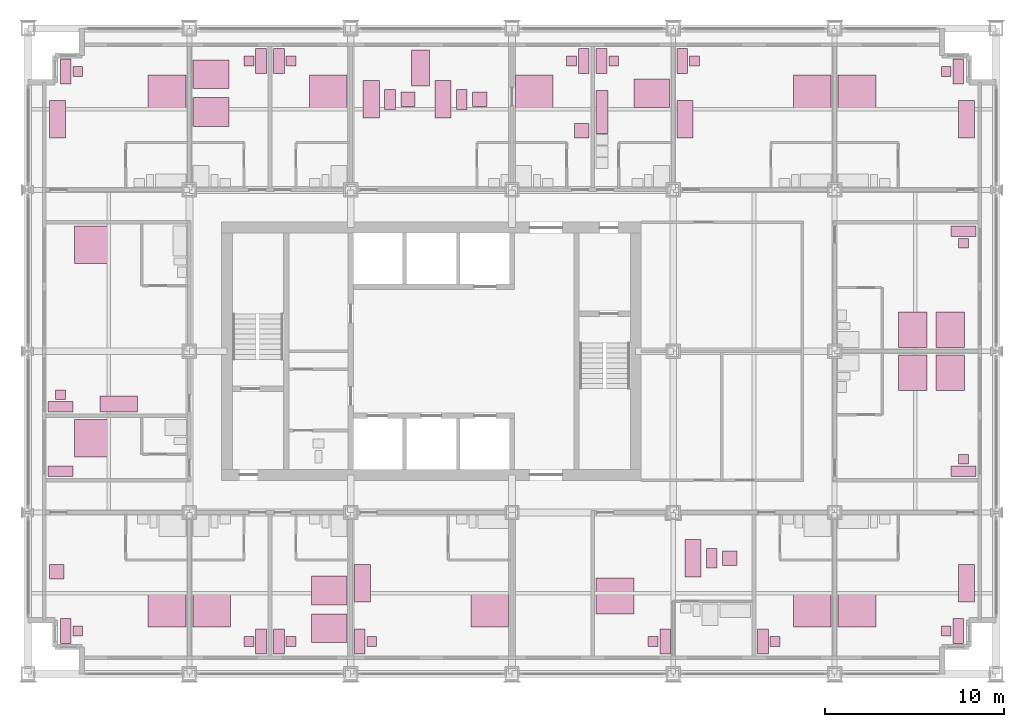
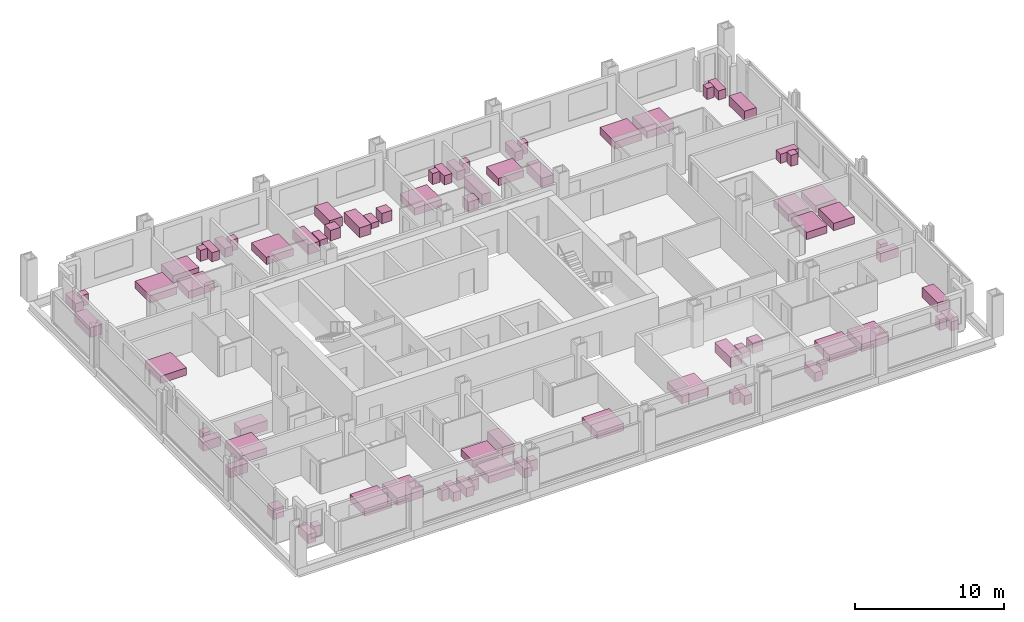
# One storey, part 18 of 18: 76 furniture elements.
"""IFC4 building model written with IfcOpenShell, lengths in metres."""

from ifc_helpers import new_model, si_unit, direction, frame, origin, origin_2d, place, context, subcontext, project, spatial, rectangle, extrude, element, save


model = new_model("IFC4")

# Units and contexts
model_context = context("Model", 3, precision=1e-05, world=origin(), true_north=direction((0.0, 1.0)))
body_context = subcontext(model_context, "Body", "Model", "MODEL_VIEW")
ifc_project = project(units=[si_unit("LENGTHUNIT", "METRE"), si_unit("AREAUNIT", "SQUARE_METRE"), si_unit("VOLUMEUNIT", "CUBIC_METRE"), si_unit("PLANEANGLEUNIT", "RADIAN"), si_unit("MASSUNIT", "GRAM", prefix="KILO")], contexts=[model_context])

# Site, building, storey
site_placement = place(None, origin())
site = spatial("IfcSite", under=ifc_project, at=site_placement, CompositionType="ELEMENT")
building_placement = place(site_placement, origin())
building = spatial("IfcBuilding", under=site, at=building_placement, Name="Loomwork Tower", CompositionType="ELEMENT")
storey_placement = place(building_placement, frame((0.0, 0.0, 38.199951171875)))
storey = spatial("IfcBuildingStorey", under=building, at=storey_placement, Name="L08", CompositionType="ELEMENT", Elevation=38.199951171875)

# Furniture
furniture_1_placement = place(storey_placement, frame((7.75, 3.60009765625, 0.0), z_axis=(0.0, 0.0, 1.0), x_axis=(1.0, 0.0, 0.0)))
element("IfcFurniture", 1, at=furniture_1_placement, inside=storey, Name="King bed L08", PredefinedType="BED", context=body_context, shape_type="SweptSolid", body=[
    extrude(rectangle(XDim=2.10009765625, YDim=2.0, at=origin_2d()), origin(), (0.0, 0.0, 1.0), 0.60009765625),
])
furniture_2_placement = place(storey_placement, frame((2.10009765625, 2.39990234375, 0.0), z_axis=(0.0, 0.0, 1.0), x_axis=(1.0, 0.0, 0.0)))
element("IfcFurniture", 2, at=furniture_2_placement, inside=storey, Name="Writing desk L08", PredefinedType="DESK", context=body_context, shape_type="SweptSolid", body=[
    extrude(rectangle(XDim=0.60009765625, YDim=1.39990234375, at=origin_2d()), origin(), (0.0, 0.0, 1.0), 0.75),
])
furniture_3_placement = place(storey_placement, frame((2.77490234375, 2.39990234375, 0.0), z_axis=(0.0, 0.0, 1.0), x_axis=(1.0, 0.0, 0.0)))
element("IfcFurniture", 3, at=furniture_3_placement, inside=storey, Name="Desk chair L08", PredefinedType="CHAIR", context=body_context, shape_type="SweptSolid", body=[
    extrude(rectangle(XDim=0.550048828125, YDim=0.550048828125, at=origin_2d()), origin(), (0.0, 0.0, 1.0), 0.89990234375),
])
furniture_4_placement = place(storey_placement, frame((1.60009765625, 5.699951171875, 0.0), z_axis=(0.0, 0.0, 1.0), x_axis=(1.0, 0.0, 0.0)))
element("IfcFurniture", 4, at=furniture_4_placement, inside=storey, Name="Lounge armchair L08", PredefinedType="CHAIR", context=body_context, shape_type="SweptSolid", body=[
    extrude(rectangle(XDim=0.800048828125, YDim=0.800048828125, at=origin_2d()), origin(), (0.0, 0.0, 1.0), 0.85009765625),
])
furniture_5_placement = place(storey_placement, frame((10.25, 3.60009765625, 0.0), z_axis=(0.0, 0.0, 1.0), x_axis=(1.0, 0.0, 0.0)))
element("IfcFurniture", 5, at=furniture_5_placement, inside=storey, Name="King bed L08", PredefinedType="BED", context=body_context, shape_type="SweptSolid", body=[
    extrude(rectangle(XDim=2.10009765625, YDim=2.0, at=origin_2d()), origin(), (0.0, 0.0, 1.0), 0.60009765625),
])
furniture_6_placement = place(storey_placement, frame((13.0, 1.800048828125, 0.0), z_axis=(0.0, 0.0, 1.0), x_axis=(1.0, 0.0, 0.0)))
element("IfcFurniture", 6, at=furniture_6_placement, inside=storey, Name="Writing desk L08", PredefinedType="DESK", context=body_context, shape_type="SweptSolid", body=[
    extrude(rectangle(XDim=0.60009765625, YDim=1.39990234375, at=origin_2d()), origin(), (0.0, 0.0, 1.0), 0.75),
])
furniture_7_placement = place(storey_placement, frame((12.324951171875, 1.800048828125, 0.0), z_axis=(0.0, 0.0, 1.0), x_axis=(1.0, 0.0, 0.0)))
element("IfcFurniture", 7, at=furniture_7_placement, inside=storey, Name="Desk chair L08", PredefinedType="CHAIR", context=body_context, shape_type="SweptSolid", body=[
    extrude(rectangle(XDim=0.550048828125, YDim=0.550048828125, at=origin_2d()), origin(), (0.0, 0.0, 1.0), 0.89990234375),
])
for number, where, z_axis, x_axis, name in (
    (8, (16.800048828125, 4.64990234375, 0.0), (0.0, 0.0, 1.0), (1.0, 0.0, 0.0), "Queen bed L08"),
    (9, (16.800048828125, 2.550048828125, 0.0), (0.0, 0.0, 1.0), (1.0, 0.0, 0.0), "Queen bed L08"),
):
    element("IfcFurniture", number, at=place(storey_placement, frame(where, z_axis=z_axis, x_axis=x_axis)), inside=storey, Name=name, PredefinedType="BED", context=body_context, shape_type="SweptSolid", body=[
        extrude(rectangle(XDim=2.0, YDim=1.60009765625, at=origin_2d()), origin(), (0.0, 0.0, 1.0), 0.60009765625),
    ])
furniture_8_placement = place(storey_placement, frame((14.0, 1.800048828125, 0.0), z_axis=(0.0, 0.0, 1.0), x_axis=(1.0, 0.0, 0.0)))
element("IfcFurniture", 10, at=furniture_8_placement, inside=storey, Name="Writing desk L08", PredefinedType="DESK", context=body_context, shape_type="SweptSolid", body=[
    extrude(rectangle(XDim=0.60009765625, YDim=1.39990234375, at=origin_2d()), origin(), (0.0, 0.0, 1.0), 0.75),
])
furniture_9_placement = place(storey_placement, frame((14.675048828125, 1.800048828125, 0.0), z_axis=(0.0, 0.0, 1.0), x_axis=(1.0, 0.0, 0.0)))
element("IfcFurniture", 11, at=furniture_9_placement, inside=storey, Name="Desk chair L08", PredefinedType="CHAIR", context=body_context, shape_type="SweptSolid", body=[
    extrude(rectangle(XDim=0.550048828125, YDim=0.550048828125, at=origin_2d()), origin(), (0.0, 0.0, 1.0), 0.89990234375),
])
furniture_10_placement = place(storey_placement, frame((25.75, 3.60009765625, 0.0), z_axis=(0.0, 0.0, 1.0), x_axis=(1.0, 0.0, 0.0)))
element("IfcFurniture", 12, at=furniture_10_placement, inside=storey, Name="King bed L08", PredefinedType="BED", context=body_context, shape_type="SweptSolid", body=[
    extrude(rectangle(XDim=2.10009765625, YDim=2.0, at=origin_2d()), origin(), (0.0, 0.0, 1.0), 0.60009765625),
])
furniture_11_placement = place(storey_placement, frame((18.5, 1.800048828125, 0.0), z_axis=(0.0, 0.0, 1.0), x_axis=(1.0, 0.0, 0.0)))
element("IfcFurniture", 13, at=furniture_11_placement, inside=storey, Name="Writing desk L08", PredefinedType="DESK", context=body_context, shape_type="SweptSolid", body=[
    extrude(rectangle(XDim=0.60009765625, YDim=1.39990234375, at=origin_2d()), origin(), (0.0, 0.0, 1.0), 0.75),
])
furniture_12_placement = place(storey_placement, frame((19.175048828125, 1.800048828125, 0.0), z_axis=(0.0, 0.0, 1.0), x_axis=(1.0, 0.0, 0.0)))
element("IfcFurniture", 14, at=furniture_12_placement, inside=storey, Name="Desk chair L08", PredefinedType="CHAIR", context=body_context, shape_type="SweptSolid", body=[
    extrude(rectangle(XDim=0.550048828125, YDim=0.550048828125, at=origin_2d()), origin(), (0.0, 0.0, 1.0), 0.89990234375),
])
furniture_13_placement = place(storey_placement, frame((18.64990234375, 5.050048828125, 0.0), z_axis=(0.0, 0.0, 1.0), x_axis=(1.0, 0.0, 0.0)))
element("IfcFurniture", 15, at=furniture_13_placement, inside=storey, Name="Sofa L08", PredefinedType="SOFA", context=body_context, shape_type="SweptSolid", body=[
    extrude(rectangle(XDim=0.89990234375, YDim=2.10009765625, at=origin_2d()), origin(), (0.0, 0.0, 1.0), 0.800048828125),
])
furniture_14_placement = place(storey_placement, frame((32.75, 4.35009765625, 0.0), z_axis=(0.0, 0.0, 1.0), x_axis=(1.0, 0.0, 0.0)))
element("IfcFurniture", 16, at=furniture_14_placement, inside=storey, Name="King bed L08", PredefinedType="BED", context=body_context, shape_type="SweptSolid", body=[
    extrude(rectangle(XDim=2.10009765625, YDim=2.0, at=origin_2d()), origin(), (0.0, 0.0, 1.0), 0.60009765625),
])
furniture_15_placement = place(storey_placement, frame((35.550048828125, 1.800048828125, 0.0), z_axis=(0.0, 0.0, 1.0), x_axis=(1.0, 0.0, 0.0)))
element("IfcFurniture", 17, at=furniture_15_placement, inside=storey, Name="Writing desk L08", PredefinedType="DESK", context=body_context, shape_type="SweptSolid", body=[
    extrude(rectangle(XDim=0.60009765625, YDim=1.39990234375, at=origin_2d()), origin(), (0.0, 0.0, 1.0), 0.75),
])
furniture_16_placement = place(storey_placement, frame((34.875, 1.800048828125, 0.0), z_axis=(0.0, 0.0, 1.0), x_axis=(1.0, 0.0, 0.0)))
element("IfcFurniture", 18, at=furniture_16_placement, inside=storey, Name="Desk chair L08", PredefinedType="CHAIR", context=body_context, shape_type="SweptSolid", body=[
    extrude(rectangle(XDim=0.550048828125, YDim=0.550048828125, at=origin_2d()), origin(), (0.0, 0.0, 1.0), 0.89990234375),
])
furniture_17_placement = place(storey_placement, frame((37.10009765625, 6.449951171875, 0.0), z_axis=(0.0, 0.0, 1.0), x_axis=(1.0, 0.0, 0.0)))
element("IfcFurniture", 19, at=furniture_17_placement, inside=storey, Name="Sofa L08", PredefinedType="SOFA", context=body_context, shape_type="SweptSolid", body=[
    extrude(rectangle(XDim=0.89990234375, YDim=2.10009765625, at=origin_2d()), origin(), (0.0, 0.0, 1.0), 0.800048828125),
])
furniture_18_placement = place(storey_placement, frame((38.14990234375, 6.449951171875, 0.0), z_axis=(0.0, 0.0, 1.0), x_axis=(1.0, 0.0, 0.0)))
element("IfcFurniture", 20, at=furniture_18_placement, inside=storey, Name="Coffee table L08", PredefinedType="TABLE", context=body_context, shape_type="SweptSolid", body=[
    extrude(rectangle(XDim=0.60009765625, YDim=1.10009765625, at=origin_2d()), origin(), (0.0, 0.0, 1.0), 0.449951171875),
])
furniture_19_placement = place(storey_placement, frame((39.14990234375, 6.449951171875, 0.0), z_axis=(0.0, 0.0, 1.0), x_axis=(1.0, 0.0, 0.0)))
element("IfcFurniture", 21, at=furniture_19_placement, inside=storey, Name="Lounge armchair L08", PredefinedType="CHAIR", context=body_context, shape_type="SweptSolid", body=[
    extrude(rectangle(XDim=0.800048828125, YDim=0.800048828125, at=origin_2d()), origin(), (0.0, 0.0, 1.0), 0.85009765625),
])
furniture_20_placement = place(storey_placement, frame((43.75, 3.60009765625, 0.0), z_axis=(0.0, 0.0, 1.0), x_axis=(1.0, 0.0, 0.0)))
element("IfcFurniture", 22, at=furniture_20_placement, inside=storey, Name="King bed L08", PredefinedType="BED", context=body_context, shape_type="SweptSolid", body=[
    extrude(rectangle(XDim=2.10009765625, YDim=2.0, at=origin_2d()), origin(), (0.0, 0.0, 1.0), 0.60009765625),
])
furniture_21_placement = place(storey_placement, frame((41.0, 1.800048828125, 0.0), z_axis=(0.0, 0.0, 1.0), x_axis=(1.0, 0.0, 0.0)))
element("IfcFurniture", 23, at=furniture_21_placement, inside=storey, Name="Writing desk L08", PredefinedType="DESK", context=body_context, shape_type="SweptSolid", body=[
    extrude(rectangle(XDim=0.60009765625, YDim=1.39990234375, at=origin_2d()), origin(), (0.0, 0.0, 1.0), 0.75),
])
furniture_22_placement = place(storey_placement, frame((41.675048828125, 1.800048828125, 0.0), z_axis=(0.0, 0.0, 1.0), x_axis=(1.0, 0.0, 0.0)))
element("IfcFurniture", 24, at=furniture_22_placement, inside=storey, Name="Desk chair L08", PredefinedType="CHAIR", context=body_context, shape_type="SweptSolid", body=[
    extrude(rectangle(XDim=0.550048828125, YDim=0.550048828125, at=origin_2d()), origin(), (0.0, 0.0, 1.0), 0.89990234375),
])
furniture_23_placement = place(storey_placement, frame((46.25, 3.60009765625, 0.0), z_axis=(0.0, 0.0, 1.0), x_axis=(1.0, 0.0, 0.0)))
element("IfcFurniture", 25, at=furniture_23_placement, inside=storey, Name="King bed L08", PredefinedType="BED", context=body_context, shape_type="SweptSolid", body=[
    extrude(rectangle(XDim=2.10009765625, YDim=2.0, at=origin_2d()), origin(), (0.0, 0.0, 1.0), 0.60009765625),
])
furniture_24_placement = place(storey_placement, frame((51.89990234375, 2.39990234375, 0.0), z_axis=(0.0, 0.0, 1.0), x_axis=(1.0, 0.0, 0.0)))
element("IfcFurniture", 26, at=furniture_24_placement, inside=storey, Name="Writing desk L08", PredefinedType="DESK", context=body_context, shape_type="SweptSolid", body=[
    extrude(rectangle(XDim=0.60009765625, YDim=1.39990234375, at=origin_2d()), origin(), (0.0, 0.0, 1.0), 0.75),
])
furniture_25_placement = place(storey_placement, frame((51.22509765625, 2.39990234375, 0.0), z_axis=(0.0, 0.0, 1.0), x_axis=(1.0, 0.0, 0.0)))
element("IfcFurniture", 27, at=furniture_25_placement, inside=storey, Name="Desk chair L08", PredefinedType="CHAIR", context=body_context, shape_type="SweptSolid", body=[
    extrude(rectangle(XDim=0.550048828125, YDim=0.550048828125, at=origin_2d()), origin(), (0.0, 0.0, 1.0), 0.89990234375),
])
furniture_26_placement = place(storey_placement, frame((52.35009765625, 5.050048828125, 0.0), z_axis=(0.0, 0.0, 1.0), x_axis=(1.0, 0.0, 0.0)))
element("IfcFurniture", 28, at=furniture_26_placement, inside=storey, Name="Sofa L08", PredefinedType="SOFA", context=body_context, shape_type="SweptSolid", body=[
    extrude(rectangle(XDim=0.89990234375, YDim=2.10009765625, at=origin_2d()), origin(), (0.0, 0.0, 1.0), 0.800048828125),
])
furniture_27_placement = place(storey_placement, frame((7.75, 32.39990234375, 0.0), z_axis=(0.0, 0.0, 1.0), x_axis=(1.0, 0.0, 0.0)))
element("IfcFurniture", 29, at=furniture_27_placement, inside=storey, Name="King bed L08", PredefinedType="BED", context=body_context, shape_type="SweptSolid", body=[
    extrude(rectangle(XDim=2.10009765625, YDim=2.0, at=origin_2d()), origin(), (0.0, 0.0, 1.0), 0.60009765625),
])
furniture_28_placement = place(storey_placement, frame((2.10009765625, 33.60009765625, 0.0), z_axis=(0.0, 0.0, 1.0), x_axis=(1.0, 0.0, 0.0)))
element("IfcFurniture", 30, at=furniture_28_placement, inside=storey, Name="Writing desk L08", PredefinedType="DESK", context=body_context, shape_type="SweptSolid", body=[
    extrude(rectangle(XDim=0.60009765625, YDim=1.39990234375, at=origin_2d()), origin(), (0.0, 0.0, 1.0), 0.75),
])
furniture_29_placement = place(storey_placement, frame((2.77490234375, 33.60009765625, 0.0), z_axis=(0.0, 0.0, 1.0), x_axis=(1.0, 0.0, 0.0)))
element("IfcFurniture", 31, at=furniture_29_placement, inside=storey, Name="Desk chair L08", PredefinedType="CHAIR", context=body_context, shape_type="SweptSolid", body=[
    extrude(rectangle(XDim=0.550048828125, YDim=0.550048828125, at=origin_2d()), origin(), (0.0, 0.0, 1.0), 0.89990234375),
])
furniture_30_placement = place(storey_placement, frame((1.64990234375, 30.949951171875, 0.0), z_axis=(0.0, 0.0, 1.0), x_axis=(1.0, 0.0, 0.0)))
element("IfcFurniture", 32, at=furniture_30_placement, inside=storey, Name="Sofa L08", PredefinedType="SOFA", context=body_context, shape_type="SweptSolid", body=[
    extrude(rectangle(XDim=0.89990234375, YDim=2.10009765625, at=origin_2d()), origin(), (0.0, 0.0, 1.0), 0.800048828125),
])
for number, where, z_axis, x_axis, name in (
    (33, (10.199951171875, 31.35009765625, 0.0), (0.0, 0.0, 1.0), (1.0, 0.0, 0.0), "Queen bed L08"),
    (34, (10.199951171875, 33.449951171875, 0.0), (0.0, 0.0, 1.0), (1.0, 0.0, 0.0), "Queen bed L08"),
):
    element("IfcFurniture", number, at=place(storey_placement, frame(where, z_axis=z_axis, x_axis=x_axis)), inside=storey, Name=name, PredefinedType="BED", context=body_context, shape_type="SweptSolid", body=[
        extrude(rectangle(XDim=2.0, YDim=1.60009765625, at=origin_2d()), origin(), (0.0, 0.0, 1.0), 0.60009765625),
    ])
furniture_31_placement = place(storey_placement, frame((13.0, 34.199951171875, 0.0), z_axis=(0.0, 0.0, 1.0), x_axis=(1.0, 0.0, 0.0)))
element("IfcFurniture", 35, at=furniture_31_placement, inside=storey, Name="Writing desk L08", PredefinedType="DESK", context=body_context, shape_type="SweptSolid", body=[
    extrude(rectangle(XDim=0.60009765625, YDim=1.39990234375, at=origin_2d()), origin(), (0.0, 0.0, 1.0), 0.75),
])
furniture_32_placement = place(storey_placement, frame((12.324951171875, 34.199951171875, 0.0), z_axis=(0.0, 0.0, 1.0), x_axis=(1.0, 0.0, 0.0)))
element("IfcFurniture", 36, at=furniture_32_placement, inside=storey, Name="Desk chair L08", PredefinedType="CHAIR", context=body_context, shape_type="SweptSolid", body=[
    extrude(rectangle(XDim=0.550048828125, YDim=0.550048828125, at=origin_2d()), origin(), (0.0, 0.0, 1.0), 0.89990234375),
])
furniture_33_placement = place(storey_placement, frame((16.75, 32.39990234375, 0.0), z_axis=(0.0, 0.0, 1.0), x_axis=(1.0, 0.0, 0.0)))
element("IfcFurniture", 37, at=furniture_33_placement, inside=storey, Name="King bed L08", PredefinedType="BED", context=body_context, shape_type="SweptSolid", body=[
    extrude(rectangle(XDim=2.10009765625, YDim=2.0, at=origin_2d()), origin(), (0.0, 0.0, 1.0), 0.60009765625),
])
furniture_34_placement = place(storey_placement, frame((14.0, 34.199951171875, 0.0), z_axis=(0.0, 0.0, 1.0), x_axis=(1.0, 0.0, 0.0)))
element("IfcFurniture", 38, at=furniture_34_placement, inside=storey, Name="Writing desk L08", PredefinedType="DESK", context=body_context, shape_type="SweptSolid", body=[
    extrude(rectangle(XDim=0.60009765625, YDim=1.39990234375, at=origin_2d()), origin(), (0.0, 0.0, 1.0), 0.75),
])
furniture_35_placement = place(storey_placement, frame((14.675048828125, 34.199951171875, 0.0), z_axis=(0.0, 0.0, 1.0), x_axis=(1.0, 0.0, 0.0)))
element("IfcFurniture", 39, at=furniture_35_placement, inside=storey, Name="Desk chair L08", PredefinedType="CHAIR", context=body_context, shape_type="SweptSolid", body=[
    extrude(rectangle(XDim=0.550048828125, YDim=0.550048828125, at=origin_2d()), origin(), (0.0, 0.0, 1.0), 0.89990234375),
])
furniture_36_placement = place(storey_placement, frame((19.14990234375, 32.050048828125, 0.0), z_axis=(0.0, 0.0, 1.0), x_axis=(1.0, 0.0, 0.0)))
element("IfcFurniture", 40, at=furniture_36_placement, inside=storey, Name="Sofa L08", PredefinedType="SOFA", context=body_context, shape_type="SweptSolid", body=[
    extrude(rectangle(XDim=0.89990234375, YDim=2.10009765625, at=origin_2d()), origin(), (0.0, 0.0, 1.0), 0.800048828125),
])
furniture_37_placement = place(storey_placement, frame((20.199951171875, 32.050048828125, 0.0), z_axis=(0.0, 0.0, 1.0), x_axis=(1.0, 0.0, 0.0)))
element("IfcFurniture", 41, at=furniture_37_placement, inside=storey, Name="Coffee table L08", PredefinedType="TABLE", context=body_context, shape_type="SweptSolid", body=[
    extrude(rectangle(XDim=0.60009765625, YDim=1.10009765625, at=origin_2d()), origin(), (0.0, 0.0, 1.0), 0.449951171875),
])
furniture_38_placement = place(storey_placement, frame((21.199951171875, 32.050048828125, 0.0), z_axis=(0.0, 0.0, 1.0), x_axis=(1.0, 0.0, 0.0)))
element("IfcFurniture", 42, at=furniture_38_placement, inside=storey, Name="Lounge armchair L08", PredefinedType="CHAIR", context=body_context, shape_type="SweptSolid", body=[
    extrude(rectangle(XDim=0.800048828125, YDim=0.800048828125, at=origin_2d()), origin(), (0.0, 0.0, 1.0), 0.85009765625),
])
furniture_39_placement = place(storey_placement, frame((23.14990234375, 32.050048828125, 0.0), z_axis=(0.0, 0.0, 1.0), x_axis=(1.0, 0.0, 0.0)))
element("IfcFurniture", 43, at=furniture_39_placement, inside=storey, Name="Sofa L08", PredefinedType="SOFA", context=body_context, shape_type="SweptSolid", body=[
    extrude(rectangle(XDim=0.89990234375, YDim=2.10009765625, at=origin_2d()), origin(), (0.0, 0.0, 1.0), 0.800048828125),
])
furniture_40_placement = place(storey_placement, frame((24.199951171875, 32.050048828125, 0.0), z_axis=(0.0, 0.0, 1.0), x_axis=(1.0, 0.0, 0.0)))
element("IfcFurniture", 44, at=furniture_40_placement, inside=storey, Name="Coffee table L08", PredefinedType="TABLE", context=body_context, shape_type="SweptSolid", body=[
    extrude(rectangle(XDim=0.60009765625, YDim=1.10009765625, at=origin_2d()), origin(), (0.0, 0.0, 1.0), 0.449951171875),
])
furniture_41_placement = place(storey_placement, frame((25.199951171875, 32.050048828125, 0.0), z_axis=(0.0, 0.0, 1.0), x_axis=(1.0, 0.0, 0.0)))
element("IfcFurniture", 45, at=furniture_41_placement, inside=storey, Name="Lounge armchair L08", PredefinedType="CHAIR", context=body_context, shape_type="SweptSolid", body=[
    extrude(rectangle(XDim=0.800048828125, YDim=0.800048828125, at=origin_2d()), origin(), (0.0, 0.0, 1.0), 0.85009765625),
])
furniture_42_placement = place(storey_placement, frame((21.89990234375, 33.800048828125, 0.0), z_axis=(0.0, 0.0, 1.0), x_axis=(1.0, 0.0, 0.0)))
element("IfcFurniture", 46, at=furniture_42_placement, inside=storey, Name="Dining table L08", PredefinedType="TABLE", context=body_context, shape_type="SweptSolid", body=[
    extrude(rectangle(XDim=1.0, YDim=2.0, at=origin_2d()), origin(), (0.0, 0.0, 1.0), 0.75),
])
furniture_43_placement = place(storey_placement, frame((28.25, 32.39990234375, 0.0), z_axis=(0.0, 0.0, 1.0), x_axis=(1.0, 0.0, 0.0)))
element("IfcFurniture", 47, at=furniture_43_placement, inside=storey, Name="King bed L08", PredefinedType="BED", context=body_context, shape_type="SweptSolid", body=[
    extrude(rectangle(XDim=2.10009765625, YDim=2.0, at=origin_2d()), origin(), (0.0, 0.0, 1.0), 0.60009765625),
])
furniture_44_placement = place(storey_placement, frame((31.0, 34.199951171875, 0.0), z_axis=(0.0, 0.0, 1.0), x_axis=(1.0, 0.0, 0.0)))
element("IfcFurniture", 48, at=furniture_44_placement, inside=storey, Name="Writing desk L08", PredefinedType="DESK", context=body_context, shape_type="SweptSolid", body=[
    extrude(rectangle(XDim=0.60009765625, YDim=1.39990234375, at=origin_2d()), origin(), (0.0, 0.0, 1.0), 0.75),
])
furniture_45_placement = place(storey_placement, frame((30.324951171875, 34.199951171875, 0.0), z_axis=(0.0, 0.0, 1.0), x_axis=(1.0, 0.0, 0.0)))
element("IfcFurniture", 49, at=furniture_45_placement, inside=storey, Name="Desk chair L08", PredefinedType="CHAIR", context=body_context, shape_type="SweptSolid", body=[
    extrude(rectangle(XDim=0.550048828125, YDim=0.550048828125, at=origin_2d()), origin(), (0.0, 0.0, 1.0), 0.89990234375),
])
furniture_46_placement = place(storey_placement, frame((30.89990234375, 30.300048828125, 0.0), z_axis=(0.0, 0.0, 1.0), x_axis=(1.0, 0.0, 0.0)))
element("IfcFurniture", 50, at=furniture_46_placement, inside=storey, Name="Lounge armchair L08", PredefinedType="CHAIR", context=body_context, shape_type="SweptSolid", body=[
    extrude(rectangle(XDim=0.800048828125, YDim=0.800048828125, at=origin_2d()), origin(), (0.0, 0.0, 1.0), 0.85009765625),
])
furniture_47_placement = place(storey_placement, frame((34.800048828125, 32.39990234375, 0.0), z_axis=(0.0, 0.0, 1.0), x_axis=(1.0, 0.0, 0.0)))
element("IfcFurniture", 51, at=furniture_47_placement, inside=storey, Name="Queen bed L08", PredefinedType="BED", context=body_context, shape_type="SweptSolid", body=[
    extrude(rectangle(XDim=2.0, YDim=1.60009765625, at=origin_2d()), origin(), (0.0, 0.0, 1.0), 0.60009765625),
])
furniture_48_placement = place(storey_placement, frame((32.0, 34.199951171875, 0.0), z_axis=(0.0, 0.0, 1.0), x_axis=(1.0, 0.0, 0.0)))
element("IfcFurniture", 52, at=furniture_48_placement, inside=storey, Name="Writing desk L08", PredefinedType="DESK", context=body_context, shape_type="SweptSolid", body=[
    extrude(rectangle(XDim=0.60009765625, YDim=1.39990234375, at=origin_2d()), origin(), (0.0, 0.0, 1.0), 0.75),
])
furniture_49_placement = place(storey_placement, frame((32.675048828125, 34.199951171875, 0.0), z_axis=(0.0, 0.0, 1.0), x_axis=(1.0, 0.0, 0.0)))
element("IfcFurniture", 53, at=furniture_49_placement, inside=storey, Name="Desk chair L08", PredefinedType="CHAIR", context=body_context, shape_type="SweptSolid", body=[
    extrude(rectangle(XDim=0.550048828125, YDim=0.550048828125, at=origin_2d()), origin(), (0.0, 0.0, 1.0), 0.89990234375),
])
furniture_50_placement = place(storey_placement, frame((32.02490234375, 31.35009765625, 0.0), z_axis=(0.0, 0.0, 1.0), x_axis=(1.0, 0.0, 0.0)))
element("IfcFurniture", 54, at=furniture_50_placement, inside=storey, Name="Kitchenette counter L08", ObjectType="KITCHENETTE", PredefinedType="USERDEFINED", context=body_context, shape_type="SweptSolid", body=[
    extrude(rectangle(XDim=0.64990234375, YDim=2.39990234375, at=origin_2d()), origin(), (0.0, 0.0, 1.0), 0.89990234375),
])
furniture_51_placement = place(storey_placement, frame((43.75, 32.39990234375, 0.0), z_axis=(0.0, 0.0, 1.0), x_axis=(1.0, 0.0, 0.0)))
element("IfcFurniture", 55, at=furniture_51_placement, inside=storey, Name="King bed L08", PredefinedType="BED", context=body_context, shape_type="SweptSolid", body=[
    extrude(rectangle(XDim=2.10009765625, YDim=2.0, at=origin_2d()), origin(), (0.0, 0.0, 1.0), 0.60009765625),
])
furniture_52_placement = place(storey_placement, frame((36.5, 34.199951171875, 0.0), z_axis=(0.0, 0.0, 1.0), x_axis=(1.0, 0.0, 0.0)))
element("IfcFurniture", 56, at=furniture_52_placement, inside=storey, Name="Writing desk L08", PredefinedType="DESK", context=body_context, shape_type="SweptSolid", body=[
    extrude(rectangle(XDim=0.60009765625, YDim=1.39990234375, at=origin_2d()), origin(), (0.0, 0.0, 1.0), 0.75),
])
furniture_53_placement = place(storey_placement, frame((37.175048828125, 34.199951171875, 0.0), z_axis=(0.0, 0.0, 1.0), x_axis=(1.0, 0.0, 0.0)))
element("IfcFurniture", 57, at=furniture_53_placement, inside=storey, Name="Desk chair L08", PredefinedType="CHAIR", context=body_context, shape_type="SweptSolid", body=[
    extrude(rectangle(XDim=0.550048828125, YDim=0.550048828125, at=origin_2d()), origin(), (0.0, 0.0, 1.0), 0.89990234375),
])
furniture_54_placement = place(storey_placement, frame((36.64990234375, 30.949951171875, 0.0), z_axis=(0.0, 0.0, 1.0), x_axis=(1.0, 0.0, 0.0)))
element("IfcFurniture", 58, at=furniture_54_placement, inside=storey, Name="Sofa L08", PredefinedType="SOFA", context=body_context, shape_type="SweptSolid", body=[
    extrude(rectangle(XDim=0.89990234375, YDim=2.10009765625, at=origin_2d()), origin(), (0.0, 0.0, 1.0), 0.800048828125),
])
furniture_55_placement = place(storey_placement, frame((46.25, 32.39990234375, 0.0), z_axis=(0.0, 0.0, 1.0), x_axis=(1.0, 0.0, 0.0)))
element("IfcFurniture", 59, at=furniture_55_placement, inside=storey, Name="King bed L08", PredefinedType="BED", context=body_context, shape_type="SweptSolid", body=[
    extrude(rectangle(XDim=2.10009765625, YDim=2.0, at=origin_2d()), origin(), (0.0, 0.0, 1.0), 0.60009765625),
])
furniture_56_placement = place(storey_placement, frame((51.89990234375, 33.60009765625, 0.0), z_axis=(0.0, 0.0, 1.0), x_axis=(1.0, 0.0, 0.0)))
element("IfcFurniture", 60, at=furniture_56_placement, inside=storey, Name="Writing desk L08", PredefinedType="DESK", context=body_context, shape_type="SweptSolid", body=[
    extrude(rectangle(XDim=0.60009765625, YDim=1.39990234375, at=origin_2d()), origin(), (0.0, 0.0, 1.0), 0.75),
])
furniture_57_placement = place(storey_placement, frame((51.22509765625, 33.60009765625, 0.0), z_axis=(0.0, 0.0, 1.0), x_axis=(1.0, 0.0, 0.0)))
element("IfcFurniture", 61, at=furniture_57_placement, inside=storey, Name="Desk chair L08", PredefinedType="CHAIR", context=body_context, shape_type="SweptSolid", body=[
    extrude(rectangle(XDim=0.550048828125, YDim=0.550048828125, at=origin_2d()), origin(), (0.0, 0.0, 1.0), 0.89990234375),
])
furniture_58_placement = place(storey_placement, frame((52.35009765625, 30.949951171875, 0.0), z_axis=(0.0, 0.0, 1.0), x_axis=(1.0, 0.0, 0.0)))
element("IfcFurniture", 62, at=furniture_58_placement, inside=storey, Name="Sofa L08", PredefinedType="SOFA", context=body_context, shape_type="SweptSolid", body=[
    extrude(rectangle(XDim=0.89990234375, YDim=2.10009765625, at=origin_2d()), origin(), (0.0, 0.0, 1.0), 0.800048828125),
])
furniture_59_placement = place(storey_placement, frame((3.60009765625, 13.14990234375, 0.0), z_axis=(0.0, 0.0, 1.0), x_axis=(1.0, 0.0, 0.0)))
element("IfcFurniture", 63, at=furniture_59_placement, inside=storey, Name="King bed L08", PredefinedType="BED", context=body_context, shape_type="SweptSolid", body=[
    extrude(rectangle(XDim=2.0, YDim=2.10009765625, at=origin_2d()), origin(), (0.0, 0.0, 1.0), 0.60009765625),
])
furniture_60_placement = place(storey_placement, frame((1.800048828125, 11.300048828125, 0.0), z_axis=(0.0, 0.0, 1.0), x_axis=(1.0, 0.0, 0.0)))
element("IfcFurniture", 64, at=furniture_60_placement, inside=storey, Name="Writing desk L08", PredefinedType="DESK", context=body_context, shape_type="SweptSolid", body=[
    extrude(rectangle(XDim=1.39990234375, YDim=0.60009765625, at=origin_2d()), origin(), (0.0, 0.0, 1.0), 0.75),
])
furniture_61_placement = place(storey_placement, frame((3.60009765625, 23.949951171875, 0.0), z_axis=(0.0, 0.0, 1.0), x_axis=(1.0, 0.0, 0.0)))
element("IfcFurniture", 65, at=furniture_61_placement, inside=storey, Name="King bed L08", PredefinedType="BED", context=body_context, shape_type="SweptSolid", body=[
    extrude(rectangle(XDim=2.0, YDim=2.10009765625, at=origin_2d()), origin(), (0.0, 0.0, 1.0), 0.60009765625),
])
furniture_62_placement = place(storey_placement, frame((1.800048828125, 14.89990234375, 0.0), z_axis=(0.0, 0.0, 1.0), x_axis=(1.0, 0.0, 0.0)))
element("IfcFurniture", 66, at=furniture_62_placement, inside=storey, Name="Writing desk L08", PredefinedType="DESK", context=body_context, shape_type="SweptSolid", body=[
    extrude(rectangle(XDim=1.39990234375, YDim=0.60009765625, at=origin_2d()), origin(), (0.0, 0.0, 1.0), 0.75),
])
furniture_63_placement = place(storey_placement, frame((1.800048828125, 15.574951171875, 0.0), z_axis=(0.0, 0.0, 1.0), x_axis=(1.0, 0.0, 0.0)))
element("IfcFurniture", 67, at=furniture_63_placement, inside=storey, Name="Desk chair L08", PredefinedType="CHAIR", context=body_context, shape_type="SweptSolid", body=[
    extrude(rectangle(XDim=0.550048828125, YDim=0.550048828125, at=origin_2d()), origin(), (0.0, 0.0, 1.0), 0.89990234375),
])
furniture_64_placement = place(storey_placement, frame((5.050048828125, 15.050048828125, 0.0), z_axis=(0.0, 0.0, 1.0), x_axis=(1.0, 0.0, 0.0)))
element("IfcFurniture", 68, at=furniture_64_placement, inside=storey, Name="Sofa L08", PredefinedType="SOFA", context=body_context, shape_type="SweptSolid", body=[
    extrude(rectangle(XDim=2.10009765625, YDim=0.89990234375, at=origin_2d()), origin(), (0.0, 0.0, 1.0), 0.800048828125),
])
for number, where, z_axis, x_axis, name in (
    (69, (49.35009765625, 16.800048828125, 0.0), (0.0, 0.0, 1.0), (1.0, 0.0, 0.0), "Queen bed L08"),
    (70, (51.449951171875, 16.800048828125, 0.0), (0.0, 0.0, 1.0), (1.0, 0.0, 0.0), "Queen bed L08"),
):
    element("IfcFurniture", number, at=place(storey_placement, frame(where, z_axis=z_axis, x_axis=x_axis)), inside=storey, Name=name, PredefinedType="BED", context=body_context, shape_type="SweptSolid", body=[
        extrude(rectangle(XDim=1.60009765625, YDim=2.0, at=origin_2d()), origin(), (0.0, 0.0, 1.0), 0.60009765625),
    ])
furniture_65_placement = place(storey_placement, frame((52.199951171875, 11.300048828125, 0.0), z_axis=(0.0, 0.0, 1.0), x_axis=(1.0, 0.0, 0.0)))
element("IfcFurniture", 71, at=furniture_65_placement, inside=storey, Name="Writing desk L08", PredefinedType="DESK", context=body_context, shape_type="SweptSolid", body=[
    extrude(rectangle(XDim=1.39990234375, YDim=0.60009765625, at=origin_2d()), origin(), (0.0, 0.0, 1.0), 0.75),
])
furniture_66_placement = place(storey_placement, frame((52.199951171875, 11.97509765625, 0.0), z_axis=(0.0, 0.0, 1.0), x_axis=(1.0, 0.0, 0.0)))
element("IfcFurniture", 72, at=furniture_66_placement, inside=storey, Name="Desk chair L08", PredefinedType="CHAIR", context=body_context, shape_type="SweptSolid", body=[
    extrude(rectangle(XDim=0.550048828125, YDim=0.550048828125, at=origin_2d()), origin(), (0.0, 0.0, 1.0), 0.89990234375),
])
for number, where, z_axis, x_axis, name in (
    (73, (49.35009765625, 19.199951171875, 0.0), (0.0, 0.0, 1.0), (1.0, 0.0, 0.0), "Queen bed L08"),
    (74, (51.449951171875, 19.199951171875, 0.0), (0.0, 0.0, 1.0), (1.0, 0.0, 0.0), "Queen bed L08"),
):
    element("IfcFurniture", number, at=place(storey_placement, frame(where, z_axis=z_axis, x_axis=x_axis)), inside=storey, Name=name, PredefinedType="BED", context=body_context, shape_type="SweptSolid", body=[
        extrude(rectangle(XDim=1.60009765625, YDim=2.0, at=origin_2d()), origin(), (0.0, 0.0, 1.0), 0.60009765625),
    ])
furniture_67_placement = place(storey_placement, frame((52.199951171875, 24.699951171875, 0.0), z_axis=(0.0, 0.0, 1.0), x_axis=(1.0, 0.0, 0.0)))
element("IfcFurniture", 75, at=furniture_67_placement, inside=storey, Name="Writing desk L08", PredefinedType="DESK", context=body_context, shape_type="SweptSolid", body=[
    extrude(rectangle(XDim=1.39990234375, YDim=0.60009765625, at=origin_2d()), origin(), (0.0, 0.0, 1.0), 0.75),
])
furniture_68_placement = place(storey_placement, frame((52.199951171875, 24.02490234375, 0.0), z_axis=(0.0, 0.0, 1.0), x_axis=(1.0, 0.0, 0.0)))
element("IfcFurniture", 76, at=furniture_68_placement, inside=storey, Name="Desk chair L08", PredefinedType="CHAIR", context=body_context, shape_type="SweptSolid", body=[
    extrude(rectangle(XDim=0.550048828125, YDim=0.550048828125, at=origin_2d()), origin(), (0.0, 0.0, 1.0), 0.89990234375),
])

save(model, "model.ifc")
